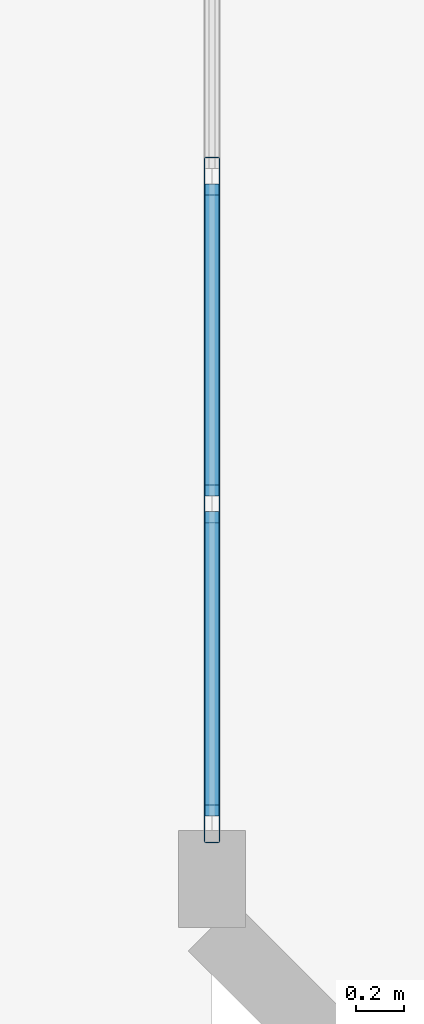
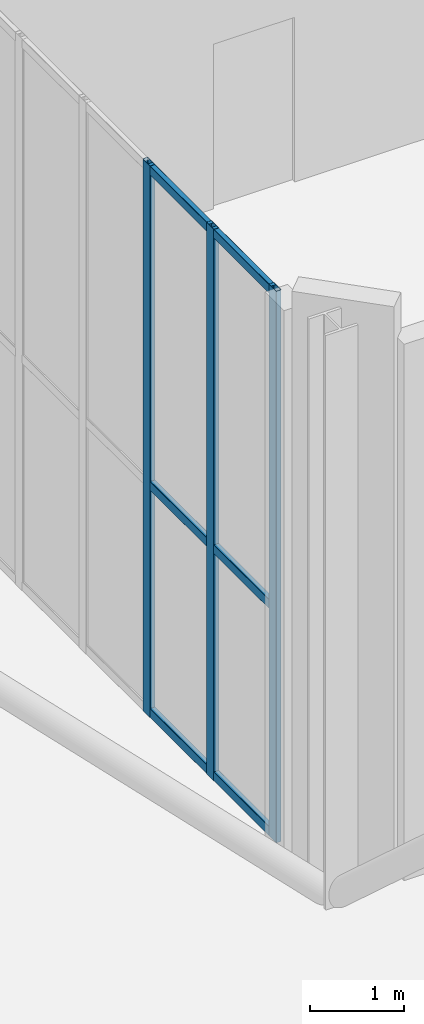
# One storey, part 5 of 23: 9 members, 1 element without a shape of its own.
"""IFC4 building model written with IfcOpenShell, lengths in metres."""

from ifc_helpers import new_model, si_unit, direction, frame, origin, origin_2d, place, context, subcontext, project, spatial, hollow_rectangle, extrude, material, layer, layer_set, material_profile, profile_set, type_object, element, aggregate, save


model = new_model("IFC4")

# Units and contexts
model_context = context("Model", 3, precision=1e-05, world=origin(), true_north=direction((0.0, 1.0)))
body_context = subcontext(model_context, "Body", "Model", "MODEL_VIEW")
ifc_project = project(units=[si_unit("LENGTHUNIT", "METRE"), si_unit("AREAUNIT", "SQUARE_METRE"), si_unit("VOLUMEUNIT", "CUBIC_METRE"), si_unit("PLANEANGLEUNIT", "RADIAN"), si_unit("MASSUNIT", "GRAM", prefix="KILO")], contexts=[model_context])

# Site, building, storey
site_placement = place(None, origin())
site = spatial("IfcSite", under=ifc_project, at=site_placement, CompositionType="ELEMENT")
building_placement = place(site_placement, origin())
building = spatial("IfcBuilding", under=site, at=building_placement, Name="Kaelvorn Grand Hotel", CompositionType="ELEMENT")
storey_placement = place(building_placement, frame((0.0, 0.0, 310.699951171875)))
storey = spatial("IfcBuildingStorey", under=building, at=storey_placement, Name="L75", CompositionType="ELEMENT", Elevation=310.699951171875)

# Curtain wall, members
ifc_material = material(Name="Anodised Aluminium", Category="aluminium")
ifc_layer = layer(ifc_material, 0.159912109375)
ifc_layer_set = layer_set([ifc_layer], Name="Anodised Aluminium")
curtain_wall_type = type_object("IfcCurtainWallType", Name="CW-SYS6", PredefinedType="NOTDEFINED", material=ifc_layer_set)
curtain_wall_placement = place(storey_placement, origin())
curtain_wall = element("IfcCurtainWall", 1, at=curtain_wall_placement, inside=storey, type_object=curtain_wall_type, Name="L75 Unitised Curtain Wall CW6 (CW-L75-W-01)", PredefinedType="NOTDEFINED")
ifc_material_profile_1 = material_profile(ifc_material, hollow_rectangle(XDim=0.06494140625, YDim=0.159912109375, WallThickness=0.00341796875, InnerFilletRadius=0.00341796875, OuterFilletRadius=0.007080078125, at=origin_2d()), Name="ALU MULL 65x160")
ifc_profile_set_1 = profile_set([ifc_material_profile_1], Name="Anodised Aluminium")
member_type_1 = type_object("IfcMemberType", Name="CW-SYS6-MULL", PredefinedType="MULLION", material=ifc_profile_set_1)
member_1_placement = place(storey_placement, frame((16.199951171875, 18.928955078125, 0.0), z_axis=(0.0, 0.0, 1.0), x_axis=(1.0, 0.0, 0.0)))
member_1 = element("IfcMember", 2, at=member_1_placement, type_object=member_type_1, Name="CW6 mullion 8", PredefinedType="MULLION", context=body_context, shape_type="SweptSolid", body=[
    extrude(hollow_rectangle(XDim=0.06494140625, YDim=0.159912109375, WallThickness=0.00341796875, InnerFilletRadius=0.00341796875, OuterFilletRadius=0.007080078125, at=origin_2d()), origin(), (0.0, 0.0, 1.0), 7.199951171875),
])
member_2_placement = place(storey_placement, frame((16.199951171875, 17.564453125, 0.0), z_axis=(0.0, 0.0, 1.0), x_axis=(1.0, 0.0, 0.0)))
member_2 = element("IfcMember", 3, at=member_2_placement, type_object=member_type_1, Name="CW6 mullion 9", PredefinedType="MULLION", context=body_context, shape_type="SweptSolid", body=[
    extrude(hollow_rectangle(XDim=0.06494140625, YDim=0.159912109375, WallThickness=0.00341796875, InnerFilletRadius=0.00341796875, OuterFilletRadius=0.007080078125, at=origin_2d()), origin(), (0.0, 0.0, 1.0), 7.199951171875),
])
member_3_placement = place(storey_placement, frame((16.199951171875, 16.232421875, 0.0), z_axis=(0.0, 0.0, 1.0), x_axis=(1.0, 0.0, 0.0)))
member_3 = element("IfcMember", 4, at=member_3_placement, type_object=member_type_1, Name="CW6 mullion 10", PredefinedType="MULLION", context=body_context, shape_type="SweptSolid", body=[
    extrude(hollow_rectangle(XDim=0.06494140625, YDim=0.159912109375, WallThickness=0.00341796875, InnerFilletRadius=0.00341796875, OuterFilletRadius=0.007080078125, at=origin_2d()), origin(), (0.0, 0.0, 1.0), 7.199951171875),
])
ifc_material_profile_2 = material_profile(ifc_material, hollow_rectangle(XDim=0.06494140625, YDim=0.1201171875, WallThickness=0.00341796875, InnerFilletRadius=0.00341796875, OuterFilletRadius=0.007080078125, at=origin_2d()), Name="ALU TRAN 65x120")
ifc_profile_set_2 = profile_set([ifc_material_profile_2], Name="Anodised Aluminium")
member_type_2 = type_object("IfcMemberType", Name="CW-SYS6-TRAN", PredefinedType="NOTDEFINED", material=ifc_profile_set_2)
member_4_placement = place(storey_placement, frame((16.199951171875, 18.896484375, 0.06005859375), z_axis=(0.0, -1.0, 0.0), x_axis=(1.0, 0.0, 0.0)))
member_4 = element("IfcMember", 5, at=member_4_placement, type_object=member_type_2, Name="CW6 transom 8.1", ObjectType="TRANSOM", PredefinedType="USERDEFINED", context=body_context, shape_type="SweptSolid", body=[
    extrude(hollow_rectangle(XDim=0.06494140625, YDim=0.1201171875, WallThickness=0.00341796875, InnerFilletRadius=0.00341796875, OuterFilletRadius=0.007080078125, at=origin_2d()), origin(), (0.0, 0.0, 1.0), 1.299560546875),
])
member_5_placement = place(storey_placement, frame((16.199951171875, 18.896484375, 3.024169921875), z_axis=(0.0, -1.0, 0.0), x_axis=(1.0, 0.0, 0.0)))
member_5 = element("IfcMember", 6, at=member_5_placement, type_object=member_type_2, Name="CW6 transom 8.2", ObjectType="TRANSOM", PredefinedType="USERDEFINED", context=body_context, shape_type="SweptSolid", body=[
    extrude(hollow_rectangle(XDim=0.06494140625, YDim=0.1201171875, WallThickness=0.00341796875, InnerFilletRadius=0.00341796875, OuterFilletRadius=0.007080078125, at=origin_2d()), origin(), (0.0, 0.0, 1.0), 1.299560546875),
])
member_6_placement = place(storey_placement, frame((16.199951171875, 18.896484375, 7.14013671875), z_axis=(0.0, -1.0, 0.0), x_axis=(1.0, 0.0, 0.0)))
member_6 = element("IfcMember", 7, at=member_6_placement, type_object=member_type_2, Name="CW6 transom 8.3", ObjectType="TRANSOM", PredefinedType="USERDEFINED", context=body_context, shape_type="SweptSolid", body=[
    extrude(hollow_rectangle(XDim=0.06494140625, YDim=0.1201171875, WallThickness=0.00341796875, InnerFilletRadius=0.00341796875, OuterFilletRadius=0.007080078125, at=origin_2d()), origin(), (0.0, 0.0, 1.0), 1.299560546875),
])
member_7_placement = place(storey_placement, frame((16.199951171875, 17.531982421875, 0.06005859375), z_axis=(0.0, -1.0, 0.0), x_axis=(1.0, 0.0, 0.0)))
member_7 = element("IfcMember", 8, at=member_7_placement, type_object=member_type_2, Name="CW6 transom 9.1", ObjectType="TRANSOM", PredefinedType="USERDEFINED", context=body_context, shape_type="SweptSolid", body=[
    extrude(hollow_rectangle(XDim=0.06494140625, YDim=0.1201171875, WallThickness=0.00341796875, InnerFilletRadius=0.00341796875, OuterFilletRadius=0.007080078125, at=origin_2d()), origin(), (0.0, 0.0, 1.0), 1.26708984375),
])
member_8_placement = place(storey_placement, frame((16.199951171875, 17.531982421875, 3.024169921875), z_axis=(0.0, -1.0, 0.0), x_axis=(1.0, 0.0, 0.0)))
member_8 = element("IfcMember", 9, at=member_8_placement, type_object=member_type_2, Name="CW6 transom 9.2", ObjectType="TRANSOM", PredefinedType="USERDEFINED", context=body_context, shape_type="SweptSolid", body=[
    extrude(hollow_rectangle(XDim=0.06494140625, YDim=0.1201171875, WallThickness=0.00341796875, InnerFilletRadius=0.00341796875, OuterFilletRadius=0.007080078125, at=origin_2d()), origin(), (0.0, 0.0, 1.0), 1.26708984375),
])
member_9_placement = place(storey_placement, frame((16.199951171875, 17.531982421875, 7.14013671875), z_axis=(0.0, -1.0, 0.0), x_axis=(1.0, 0.0, 0.0)))
member_9 = element("IfcMember", 10, at=member_9_placement, type_object=member_type_2, Name="CW6 transom 9.3", ObjectType="TRANSOM", PredefinedType="USERDEFINED", context=body_context, shape_type="SweptSolid", body=[
    extrude(hollow_rectangle(XDim=0.06494140625, YDim=0.1201171875, WallThickness=0.00341796875, InnerFilletRadius=0.00341796875, OuterFilletRadius=0.007080078125, at=origin_2d()), origin(), (0.0, 0.0, 1.0), 1.26708984375),
])
aggregate(curtain_wall, [member_1, member_2, member_3, member_4, member_5, member_6, member_7, member_8, member_9])

save(model, "model.ifc")
